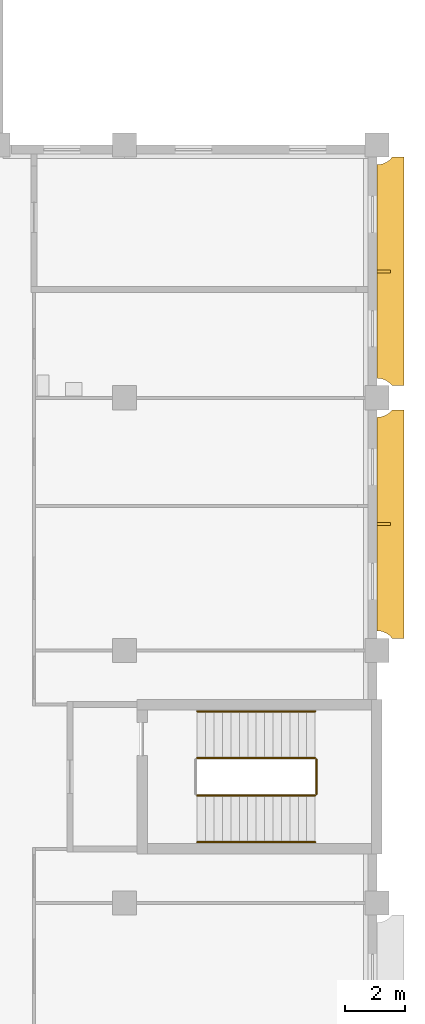
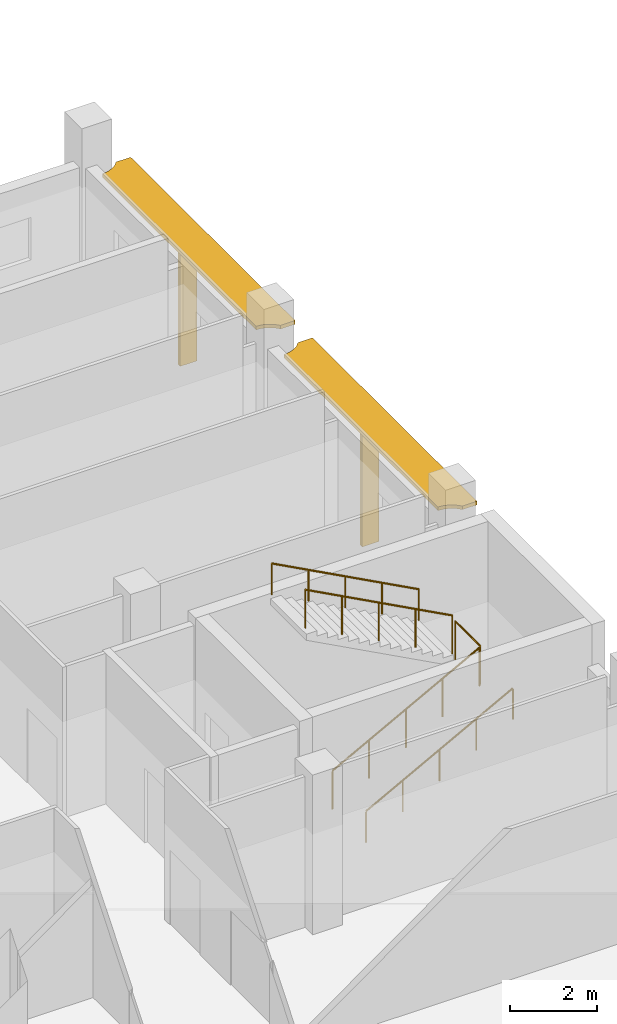
# One storey, part 132 of 136: 5 railings, 4 shading devices.
"""IFC4 building model written with IfcOpenShell, lengths in metres."""

from ifc_helpers import new_model, si_unit, direction, frame, origin, origin_2d, place, context, subcontext, project, spatial, polyline, rectangle, circle, outline, extrude, material, layer, layer_set, material_profile, profile_set, type_object, element, save


model = new_model("IFC4")

# Units and contexts
model_context = context("Model", 3, precision=1e-05, world=origin(), true_north=direction((0.0, 1.0)))
body_context = subcontext(model_context, "Body", "Model", "MODEL_VIEW")
ifc_project = project(units=[si_unit("LENGTHUNIT", "METRE"), si_unit("AREAUNIT", "SQUARE_METRE"), si_unit("VOLUMEUNIT", "CUBIC_METRE"), si_unit("PLANEANGLEUNIT", "RADIAN"), si_unit("MASSUNIT", "GRAM", prefix="KILO")], contexts=[model_context])

# Site, building, storey
site_placement = place(None, origin())
site = spatial("IfcSite", under=ifc_project, at=site_placement, CompositionType="ELEMENT")
building_placement = place(site_placement, origin())
building = spatial("IfcBuilding", under=site, at=building_placement, Name="Bougainvillea Quay General Hospital", CompositionType="ELEMENT")
storey_placement = place(building_placement, frame((0.0, 0.0, 5.39990234375)))
storey = spatial("IfcBuildingStorey", under=building, at=storey_placement, Name="L01", CompositionType="ELEMENT", Elevation=5.39990234375)

# Railings
ifc_material_1 = material(Name="Stainless steel 304 balustrade", Category="steel")
railing_type_1 = type_object("IfcRailingType", Name="Stair guard 1100", PredefinedType="GUARDRAIL", material=ifc_material_1)
railing_1_placement = place(storey_placement, frame((199.824951171875, 95.97509765625, 0.150146484375)))
element("IfcRailing", 1, at=railing_1_placement, inside=storey, type_object=railing_type_1, Name="L01 ST-T2 stair guard 1", PredefinedType="GUARDRAIL", context=body_context, shape_type="SweptSolid", body=[
    extrude(circle(Radius=0.02392578125, at=origin_2d()), frame((0.0, 0.0, 1.076171875), z_axis=(0.881502004561, 0.0, 0.472180279083), x_axis=(0.0, 1.0, 0.0)), (0.0, 0.0, 1.0), 4.447265625),
    extrude(circle(Radius=0.02099609375, at=origin_2d()), origin(), (0.0, 0.0, 1.0), 1.052001953125),
    extrude(circle(Radius=0.02099609375, at=origin_2d()), frame((0.97998046875, 0.0, 0.52490234375)), (0.0, 0.0, 1.0), 1.052001953125),
    extrude(circle(Radius=0.02099609375, at=origin_2d()), frame((1.9599609375, 0.0, 1.0498046875)), (0.0, 0.0, 1.0), 1.052001953125),
    extrude(circle(Radius=0.02099609375, at=origin_2d()), frame((2.940185546875, 0.0, 1.574951171875)), (0.0, 0.0, 1.0), 1.052001953125),
    extrude(circle(Radius=0.02099609375, at=origin_2d()), frame((3.920166015625, 0.0, 2.099853515625)), (0.0, 0.0, 1.0), 1.052001953125),
])
railing_2_placement = place(storey_placement, frame((203.794921875, 96.02490234375, 2.25)))
element("IfcRailing", 2, at=railing_2_placement, inside=storey, type_object=railing_type_1, Name="L01 ST-T2 stair guard 2", PredefinedType="GUARDRAIL", context=body_context, shape_type="SweptSolid", body=[
    extrude(circle(Radius=0.02392578125, at=origin_2d()), frame((0.0, 0.0, 1.076171875), z_axis=(0.0, 1.0, 0.0), x_axis=(-1.0, 0.0, 0.0)), (0.0, 0.0, 1.0), 1.150146484375),
    extrude(circle(Radius=0.02099609375, at=origin_2d()), origin(), (0.0, 0.0, 1.0), 1.052001953125),
    extrude(circle(Radius=0.02099609375, at=origin_2d()), frame((0.0, 1.150146484375, 0.0)), (0.0, 0.0, 1.0), 1.052001953125),
])
railing_3_placement = place(storey_placement, frame((203.7451171875, 97.22509765625, 2.400146484375)))
element("IfcRailing", 3, at=railing_3_placement, inside=storey, type_object=railing_type_1, Name="L01 ST-T2 stair guard 3", PredefinedType="GUARDRAIL", context=body_context, shape_type="SweptSolid", body=[
    extrude(circle(Radius=0.02392578125, at=origin_2d()), frame((0.0, 0.0, 1.076171875), z_axis=(-0.881502004561, 0.0, 0.472180279083), x_axis=(0.0, -1.0, 0.0)), (0.0, 0.0, 1.0), 4.447265625),
    extrude(circle(Radius=0.02099609375, at=origin_2d()), origin(), (0.0, 0.0, 1.0), 1.052001953125),
    extrude(circle(Radius=0.02099609375, at=origin_2d()), frame((-0.97998046875, 0.0, 0.52490234375)), (0.0, 0.0, 1.0), 1.052001953125),
    extrude(circle(Radius=0.02099609375, at=origin_2d()), frame((-1.9599609375, 0.0, 1.0498046875)), (0.0, 0.0, 1.0), 1.052001953125),
    extrude(circle(Radius=0.02099609375, at=origin_2d()), frame((-2.940185546875, 0.0, 1.574951171875)), (0.0, 0.0, 1.0), 1.052001953125),
    extrude(circle(Radius=0.02099609375, at=origin_2d()), frame((-3.920166015625, 0.0, 2.099853515625)), (0.0, 0.0, 1.0), 1.052001953125),
])
ifc_material_2 = material(Name="Stainless steel 304 handrail", Category="steel")
railing_type_2 = type_object("IfcRailingType", Name="Stair handrail 900", PredefinedType="HANDRAIL", material=ifc_material_2)
railing_4_placement = place(storey_placement, frame((199.824951171875, 94.425048828125, 0.150146484375)))
element("IfcRailing", 4, at=railing_4_placement, inside=storey, type_object=railing_type_2, Name="L01 ST-T2 stair handrail 1", PredefinedType="HANDRAIL", context=body_context, shape_type="SweptSolid", body=[
    extrude(circle(Radius=0.02392578125, at=origin_2d()), frame((0.0, 0.0, 0.8759765625), z_axis=(0.881502004561, 0.0, 0.472180279083), x_axis=(0.0, 1.0, 0.0)), (0.0, 0.0, 1.0), 4.447265625),
    extrude(circle(Radius=0.02099609375, at=origin_2d()), origin(), (0.0, 0.0, 1.0), 0.851806640625),
    extrude(circle(Radius=0.02099609375, at=origin_2d()), frame((0.97998046875, 0.0, 0.52490234375)), (0.0, 0.0, 1.0), 0.851806640625),
    extrude(circle(Radius=0.02099609375, at=origin_2d()), frame((1.9599609375, 0.0, 1.0498046875)), (0.0, 0.0, 1.0), 0.851806640625),
    extrude(circle(Radius=0.02099609375, at=origin_2d()), frame((2.940185546875, 0.0, 1.574951171875)), (0.0, 0.0, 1.0), 0.851806640625),
    extrude(circle(Radius=0.02099609375, at=origin_2d()), frame((3.920166015625, 0.0, 2.099853515625)), (0.0, 0.0, 1.0), 0.851806640625),
])
railing_5_placement = place(storey_placement, frame((203.7451171875, 98.77490234375, 2.400146484375)))
element("IfcRailing", 5, at=railing_5_placement, inside=storey, type_object=railing_type_2, Name="L01 ST-T2 stair handrail 2", PredefinedType="HANDRAIL", context=body_context, shape_type="SweptSolid", body=[
    extrude(circle(Radius=0.02392578125, at=origin_2d()), frame((0.0, 0.0, 0.8759765625), z_axis=(-0.881502004561, 0.0, 0.472180279083), x_axis=(0.0, -1.0, 0.0)), (0.0, 0.0, 1.0), 4.447265625),
    extrude(circle(Radius=0.02099609375, at=origin_2d()), origin(), (0.0, 0.0, 1.0), 0.851806640625),
    extrude(circle(Radius=0.02099609375, at=origin_2d()), frame((-0.97998046875, 0.0, 0.52490234375)), (0.0, 0.0, 1.0), 0.851806640625),
    extrude(circle(Radius=0.02099609375, at=origin_2d()), frame((-1.9599609375, 0.0, 1.0498046875)), (0.0, 0.0, 1.0), 0.851806640625),
    extrude(circle(Radius=0.02099609375, at=origin_2d()), frame((-2.940185546875, 0.0, 1.574951171875)), (0.0, 0.0, 1.0), 0.851806640625),
    extrude(circle(Radius=0.02099609375, at=origin_2d()), frame((-3.920166015625, 0.0, 2.099853515625)), (0.0, 0.0, 1.0), 0.851806640625),
])

# Shading devices
ifc_material_3 = material(Name="Powder-coated aluminium canopy soffit and fascia, white", Category="aluminium")
ifc_layer = layer(ifc_material_3, 0.10009765625)
ifc_layer_set = layer_set([ifc_layer], Name="Powder-coated aluminium canopy soffit and fascia, white")
shading_device_type_1 = type_object("IfcShadingDeviceType", Name="Sunshade 100", PredefinedType="USERDEFINED", material=ifc_layer_set)
shading_device_1_placement = place(storey_placement, frame((0.0, 0.0, 3.150146484375)))
element("IfcShadingDevice", 6, at=shading_device_1_placement, inside=storey, type_object=shading_device_type_1, Name="Sunshade 0", ObjectType="Sunshade", PredefinedType="USERDEFINED", context=body_context, shape_type="SweptSolid", body=[
    extrude(outline(polyline([(205.800048828125, 108.550048828125), (205.800048828125, 101.449951171875), (205.9267578125, 101.4375), (205.98876953125, 101.422119140625), (206.1064453125, 101.373291015625), (206.21240234375, 101.302490234375), (206.3115234375, 101.199951171875), (206.699951171875, 101.199951171875), (206.699951171875, 108.800048828125), (206.3115234375, 108.800048828125), (206.21240234375, 108.697509765625), (206.1064453125, 108.626708984375), (205.98876953125, 108.577880859375), (205.9267578125, 108.5625), (205.800048828125, 108.550048828125)])), origin(), (0.0, 0.0, 1.0), 0.099853515625),
])
shading_device_2_placement = place(storey_placement, frame((0.0, 0.0, 3.150146484375)))
element("IfcShadingDevice", 7, at=shading_device_2_placement, inside=storey, type_object=shading_device_type_1, Name="Sunshade 0", ObjectType="Sunshade", PredefinedType="USERDEFINED", context=body_context, shape_type="SweptSolid", body=[
    extrude(outline(polyline([(205.800048828125, 116.949951171875), (205.800048828125, 109.85009765625), (205.9267578125, 109.83740234375), (205.98876953125, 109.822021484375), (206.1064453125, 109.773193359375), (206.21240234375, 109.702392578125), (206.3115234375, 109.60009765625), (206.699951171875, 109.60009765625), (206.699951171875, 117.199951171875), (206.3115234375, 117.199951171875), (206.21240234375, 117.09765625), (206.1064453125, 117.02685546875), (205.98876953125, 116.97802734375), (205.9267578125, 116.96240234375), (205.800048828125, 116.949951171875)])), origin(), (0.0, 0.0, 1.0), 0.099853515625),
])
ifc_material_4 = material(Name="Powder-coated aluminium fin, white", Category="aluminium")
ifc_material_profile = material_profile(ifc_material_4, rectangle(XDim=0.449951171875, YDim=0.10009765625, at=origin_2d()))
ifc_profile_set = profile_set([ifc_material_profile], Name="Powder-coated aluminium fin, white")
shading_device_type_2 = type_object("IfcShadingDeviceType", Name="Vertical fin 450x100", PredefinedType="USERDEFINED", material=ifc_profile_set)
for number, where, z_axis, x_axis, name in (
    (8, (206.02490234375, 105.0, 0.0), (0.0, 0.0, 1.0), (1.0, 0.0, 0.0), "Vertical fin 02e 1"),
    (9, (206.02490234375, 113.39990234375, 0.0), (0.0, 0.0, 1.0), (1.0, 0.0, 0.0), "Vertical fin 02f 1"),
):
    element("IfcShadingDevice", number, at=place(storey_placement, frame(where, z_axis=z_axis, x_axis=x_axis)), inside=storey, type_object=shading_device_type_2, Name=name, ObjectType="Vertical fin", PredefinedType="USERDEFINED", context=body_context, shape_type="SweptSolid", body=[
        extrude(rectangle(XDim=0.449951171875, YDim=0.10009765625, at=origin_2d()), origin(), (0.0, 0.0, 1.0), 3.150146484375),
    ])

save(model, "model.ifc")
